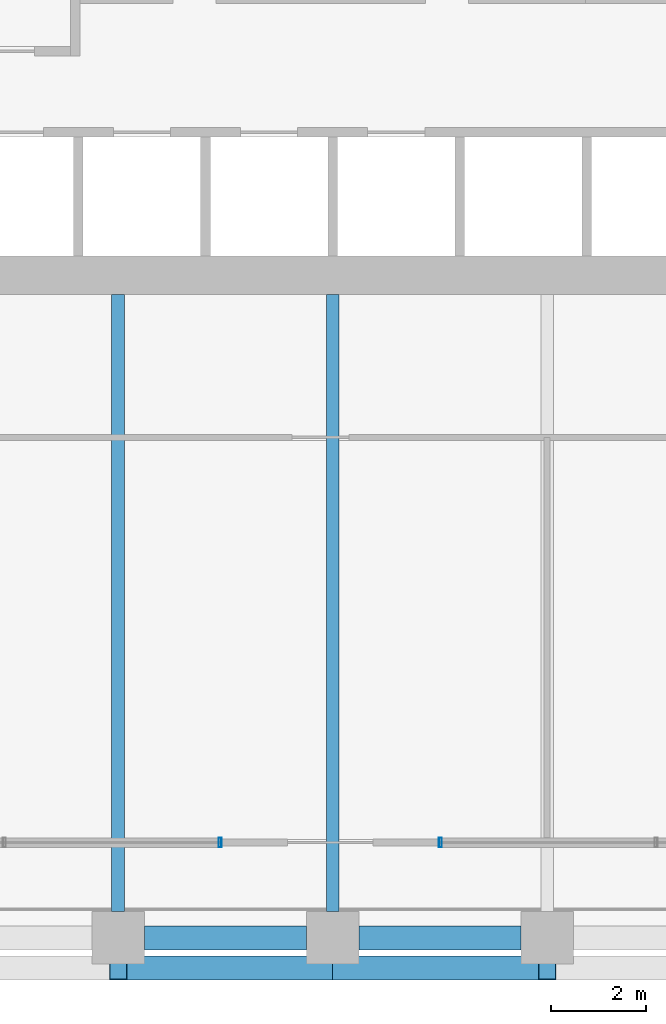
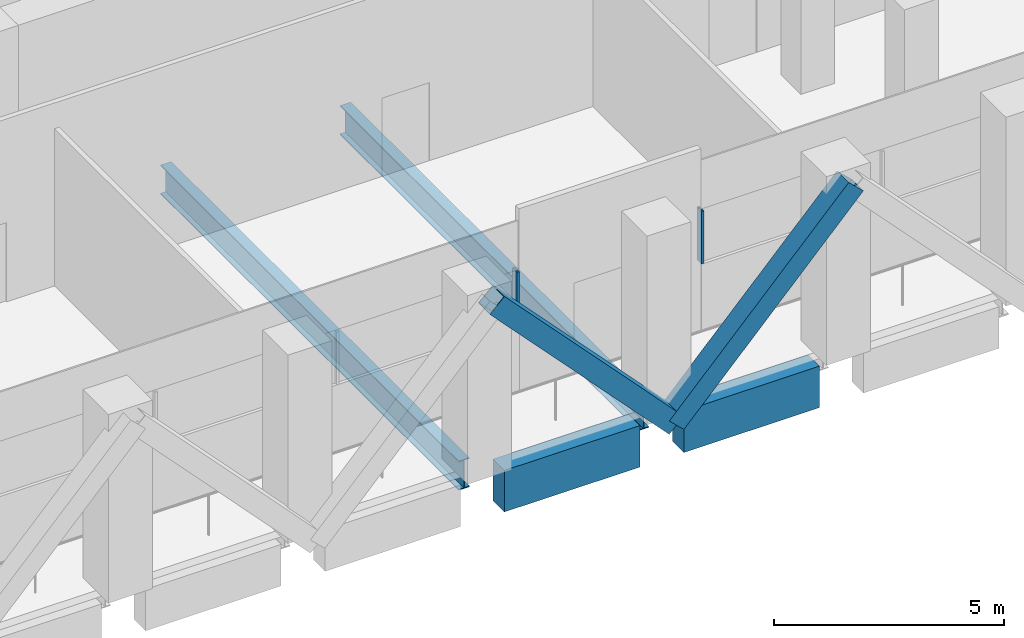
# One storey, part 6 of 44: 4 beams, 4 members, 2 elements without a shape of their own.
"""IFC4 building model written with IfcOpenShell, lengths in metres."""

from ifc_helpers import new_model, si_unit, direction, frame, origin, origin_2d, place, context, subcontext, project, spatial, rectangle, hollow_rectangle, i_section, extrude, material, material_profile, profile_set, type_object, element, aggregate, save


model = new_model("IFC4")

# Units and contexts
model_context = context("Model", 3, precision=1e-05, world=origin(), true_north=direction((0.0, 1.0)))
body_context = subcontext(model_context, "Body", "Model", "MODEL_VIEW")
ifc_project = project(units=[si_unit("LENGTHUNIT", "METRE"), si_unit("AREAUNIT", "SQUARE_METRE"), si_unit("VOLUMEUNIT", "CUBIC_METRE"), si_unit("PLANEANGLEUNIT", "RADIAN"), si_unit("MASSUNIT", "GRAM", prefix="KILO")], contexts=[model_context])

# Site, building, storey
site_placement = place(None, origin())
site = spatial("IfcSite", under=ifc_project, at=site_placement, CompositionType="ELEMENT")
building_placement = place(site_placement, origin())
building = spatial("IfcBuilding", under=site, at=building_placement, Name="Altepetl Exchange Towers", CompositionType="ELEMENT")
storey_placement = place(building_placement, frame((0.0, 0.0, 87.0)))
storey = spatial("IfcBuildingStorey", under=building, at=storey_placement, Name="L21 Refuge", CompositionType="ELEMENT", Elevation=87.0)

# Members
ifc_material_1 = material(Name="Steel S355", Category="steel")
ifc_material_profile_1 = material_profile(ifc_material_1, hollow_rectangle(XDim=0.508056640625, YDim=0.508056640625, WallThickness=0.017578125, at=origin_2d()), Name="HSS508X508X19.0")
ifc_profile_set_1 = profile_set([ifc_material_profile_1], Name="Steel S355")
member_type_1 = type_object("IfcMemberType", Name="Belt diagonal HSS508X508X19.0", PredefinedType="BRACE", material=ifc_profile_set_1)
for number, where, z_axis, x_axis, name in (
    (1, (45.0, 26.3701171875, 4.75), (0.687744647911, 0.0, -0.725952683906), (0.0, 1.0, 0.0), "brc:A:L21:003"),
    (2, (49.5, 26.3701171875, 0.0), (0.687744647911, 0.0, 0.725952683906), (0.0, 1.0, 0.0), "brc:A:L21:004"),
):
    element("IfcMember", number, at=place(storey_placement, frame(where, z_axis=z_axis, x_axis=x_axis)), inside=storey, type_object=member_type_1, Name=name, PredefinedType="BRACE", context=body_context, shape_type="SweptSolid", body=[
        extrude(hollow_rectangle(XDim=0.508056640625, YDim=0.508056640625, WallThickness=0.017578125, at=origin_2d()), origin(), (0.0, 0.0, 1.0), 6.543212890625),
    ])

# Beams
ifc_material_profile_2 = material_profile(ifc_material_1, i_section(OverallWidth=0.26806640625, OverallDepth=0.77392578125, WebThickness=0.015380859375, FlangeThickness=0.025390625, at=origin_2d()), Name="W30X132")
ifc_profile_set_2 = profile_set([ifc_material_profile_2], Name="Steel S355")
beam_type_1 = type_object("IfcBeamType", Name="Floor beam W30X132", PredefinedType="BEAM", material=ifc_profile_set_2)
for number, where, z_axis, x_axis, name in (
    (3, (45.0, 27.550048828125, -0.5869140625), (0.0, 1.0, 0.0), (-1.0, 0.0, 0.0), "bm:A:L21:015"),
    (4, (49.5, 27.550048828125, -0.5869140625), (0.0, 1.0, 0.0), (-1.0, 0.0, 0.0), "bm:A:L21:016"),
):
    element("IfcBeam", number, at=place(storey_placement, frame(where, z_axis=z_axis, x_axis=x_axis)), inside=storey, type_object=beam_type_1, Name=name, PredefinedType="BEAM", context=body_context, shape_type="SweptSolid", body=[
        extrude(i_section(OverallWidth=0.26806640625, OverallDepth=0.77392578125, WebThickness=0.015380859375, FlangeThickness=0.025390625, at=origin_2d()), origin(), (0.0, 0.0, 1.0), 12.949951171875),
    ])

# Curtain wall, member
ifc_material_2 = material(Name="Aluminium 6063-T6 glazing", Category="aluminium")
curtain_wall_type = type_object("IfcCurtainWallType", Name="Refuge slit glazing system", PredefinedType="NOTDEFINED", material=ifc_material_2)
curtain_wall_1_placement = place(storey_placement, origin())
curtain_wall_1 = element("IfcCurtainWall", 5, at=curtain_wall_1_placement, inside=storey, type_object=curtain_wall_type, Name="CW3 run", PredefinedType="NOTDEFINED")
ifc_material_3 = material(Name="Aluminium 6063-T6", Category="aluminium")
ifc_material_profile_3 = material_profile(ifc_material_3, hollow_rectangle(XDim=0.06005859375, YDim=0.199951171875, WallThickness=0.0029296875, at=origin_2d()), Name="Mullion 60x200 aluminium")
ifc_profile_set_3 = profile_set([ifc_material_profile_3], Name="Aluminium 6063-T6")
member_type_2 = type_object("IfcMemberType", Name="Mullion 60x200 aluminium", PredefinedType="MULLION", material=ifc_profile_set_3)
member_1_placement = place(storey_placement, frame((47.141357421875, 29.0, 1.800048828125)))
member_1 = element("IfcMember", 6, at=member_1_placement, type_object=member_type_2, Name="MU2 mullion", PredefinedType="MULLION", context=body_context, shape_type="SweptSolid", body=[
    extrude(hollow_rectangle(XDim=0.06005859375, YDim=0.199951171875, WallThickness=0.0029296875, at=origin_2d()), origin(), (0.0, 0.0, 1.0), 1.39990234375),
])
aggregate(curtain_wall_1, [member_1])

curtain_wall_2_placement = place(storey_placement, origin())
curtain_wall_2 = element("IfcCurtainWall", 7, at=curtain_wall_2_placement, inside=storey, type_object=curtain_wall_type, Name="CW3 run", PredefinedType="NOTDEFINED")
member_2_placement = place(storey_placement, frame((51.758544921875, 29.0, 1.800048828125)))
member_2 = element("IfcMember", 8, at=member_2_placement, type_object=member_type_2, Name="MU2 mullion", PredefinedType="MULLION", context=body_context, shape_type="SweptSolid", body=[
    extrude(hollow_rectangle(XDim=0.06005859375, YDim=0.199951171875, WallThickness=0.0029296875, at=origin_2d()), origin(), (0.0, 0.0, 1.0), 1.39990234375),
])
aggregate(curtain_wall_2, [member_2])

# Beams
ifc_material_4 = material(Name="Concrete C50/60 precast with cantera blanca facing", Category="concrete")
ifc_material_profile_4 = material_profile(ifc_material_4, rectangle(XDim=0.5, YDim=1.10009765625, at=origin_2d()), Name="500 x 1100")
ifc_profile_set_4 = profile_set([ifc_material_profile_4], Name="Concrete C50/60 precast with cantera blanca facing")
beam_type_2 = type_object("IfcBeamType", Name="Spandrel beam 500x1100 cantera blanca", PredefinedType="SPANDREL", material=ifc_profile_set_4)
for number, where, z_axis, x_axis, name in (
    (9, (45.550048828125, 27.0, -0.75), (1.0, 0.0, 0.0), (0.0, 1.0, 0.0), "sp:A:L21:003"),
    (10, (50.050048828125, 27.0, -0.75), (1.0, 0.0, 0.0), (0.0, 1.0, 0.0), "sp:A:L21:004"),
):
    element("IfcBeam", number, at=place(storey_placement, frame(where, z_axis=z_axis, x_axis=x_axis)), inside=storey, type_object=beam_type_2, Name=name, PredefinedType="SPANDREL", context=body_context, shape_type="SweptSolid", body=[
        extrude(rectangle(XDim=0.5, YDim=1.10009765625, at=origin_2d()), origin(), (0.0, 0.0, 1.0), 3.39990234375),
    ])

save(model, "model.ifc")
